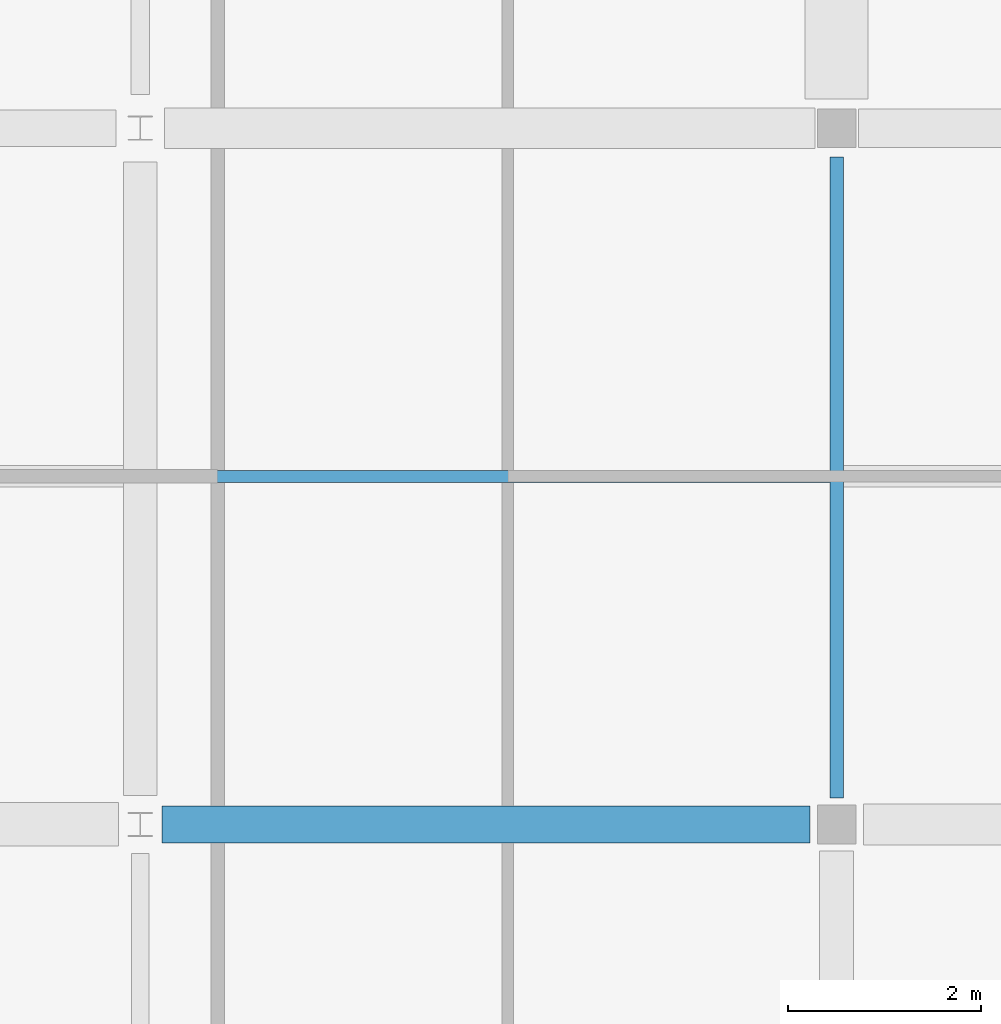
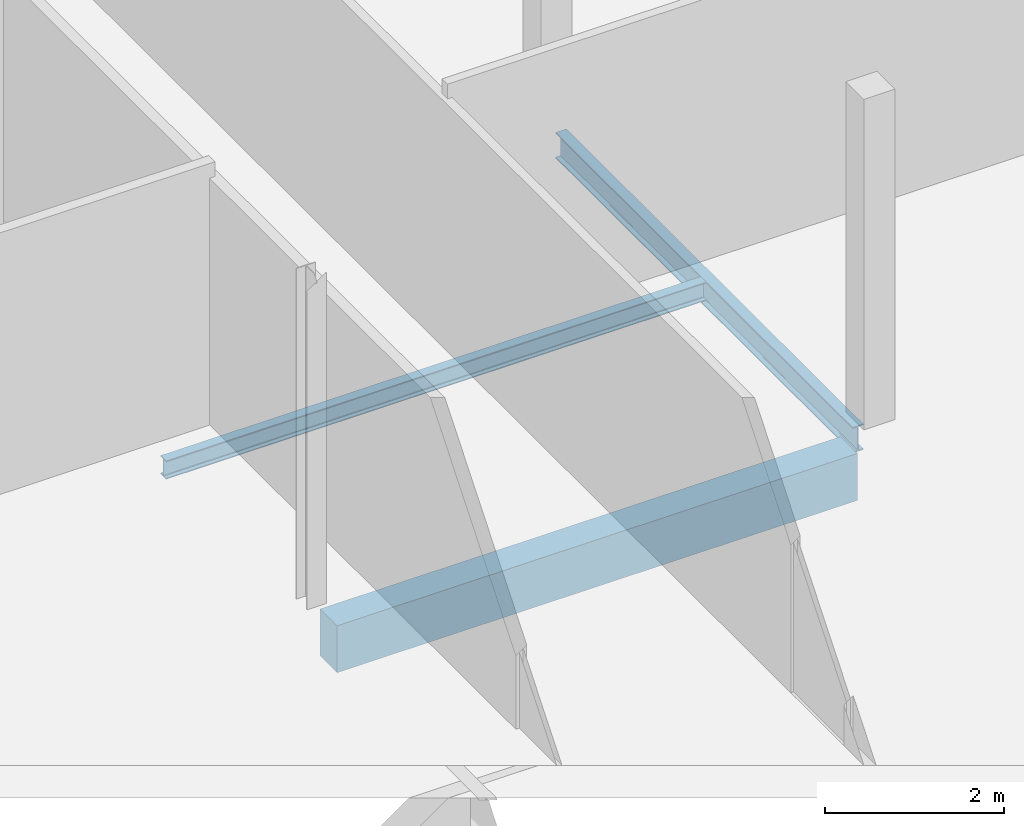
# One storey, part 19 of 62: 3 beams.
"""IFC4 building model written with IfcOpenShell, lengths in metres."""

from ifc_helpers import new_model, si_unit, direction, frame, origin, origin_2d, place, context, subcontext, project, spatial, rectangle, i_section, extrude, material, material_profile, profile_set, type_object, element, save


model = new_model("IFC4")

# Units and contexts
model_context = context("Model", 3, precision=1e-05, world=origin(), true_north=direction((0.0, 1.0)))
body_context = subcontext(model_context, "Body", "Model", "MODEL_VIEW")
ifc_project = project(units=[si_unit("LENGTHUNIT", "METRE"), si_unit("AREAUNIT", "SQUARE_METRE"), si_unit("VOLUMEUNIT", "CUBIC_METRE"), si_unit("PLANEANGLEUNIT", "RADIAN"), si_unit("MASSUNIT", "GRAM", prefix="KILO")], contexts=[model_context])

# Site, building, storey
site_placement = place(None, origin())
site = spatial("IfcSite", under=ifc_project, at=site_placement, CompositionType="ELEMENT")
building_placement = place(site_placement, origin())
building = spatial("IfcBuilding", under=site, at=building_placement, Name="Kalluvel Institute of Natural Sciences", CompositionType="ELEMENT")
storey_placement = place(building_placement, frame((0.0, 0.0, 27.89990234375)))
storey = spatial("IfcBuildingStorey", under=building, at=storey_placement, Name="L06", CompositionType="ELEMENT", Elevation=27.89990234375)

# Beams
ifc_material_1 = material(Name="Steel E350 Grade 350", Category="steel")
ifc_material_profile_1 = material_profile(ifc_material_1, i_section(OverallWidth=0.139892578125, OverallDepth=0.35009765625, WebThickness=0.008056640625, FlangeThickness=0.01416015625, FilletRadius=0.013916015625, at=origin_2d()), Name="ISMB 350")
ifc_profile_set_1 = profile_set([ifc_material_profile_1], Name="Steel E350 Grade 350")
beam_type_1 = type_object("IfcBeamType", Name="BM-ISMB350", PredefinedType="BEAM", material=ifc_profile_set_1)
beam_1_placement = place(storey_placement, frame((28.39990234375, 79.074951171875, -0.474853515625), z_axis=(0.0, 1.0, 0.0), x_axis=(-1.0, 0.0, 0.0)))
element("IfcBeam", 1, at=beam_1_placement, inside=storey, type_object=beam_type_1, Name="L06 girder GIR-L06-NS-X284-Y788", PredefinedType="BEAM", context=body_context, shape_type="SweptSolid", body=[
    extrude(i_section(OverallWidth=0.139892578125, OverallDepth=0.35009765625, WebThickness=0.008056640625, FlangeThickness=0.01416015625, FilletRadius=0.013916015625, at=origin_2d()), origin(), (0.0, 0.0, 1.0), 6.625),
])
ifc_material_2 = material(Name="Concrete M40", Category="concrete")
ifc_material_profile_2 = material_profile(ifc_material_2, rectangle(XDim=0.3798828125, YDim=0.639892578125, at=origin_2d()), Name="RCB 380x640")
ifc_profile_set_2 = profile_set([ifc_material_profile_2], Name="Concrete M40")
beam_type_2 = type_object("IfcBeamType", Name="BM-RC380x640", PredefinedType="BEAM", material=ifc_profile_set_2)
beam_2_placement = place(storey_placement, frame((21.425048828125, 78.800048828125, -0.619873046875), z_axis=(1.0, 0.0, 0.0), x_axis=(0.0, 1.0, 0.0)))
element("IfcBeam", 2, at=beam_2_placement, inside=storey, type_object=beam_type_2, Name="L06 girder GIR-L06-EW-X212-Y788", PredefinedType="BEAM", context=body_context, shape_type="SweptSolid", body=[
    extrude(rectangle(XDim=0.3798828125, YDim=0.639892578125, at=origin_2d()), origin(), (0.0, 0.0, 1.0), 6.699951171875),
])
ifc_material_profile_3 = material_profile(ifc_material_1, i_section(OverallWidth=0.125, OverallDepth=0.25, WebThickness=0.0068359375, FlangeThickness=0.012451171875, FilletRadius=0.012939453125, at=origin_2d()), Name="ISMB 250")
ifc_profile_set_3 = profile_set([ifc_material_profile_3], Name="Steel E350 Grade 350")
beam_type_3 = type_object("IfcBeamType", Name="WJ-ISMB250", PredefinedType="JOIST", material=ifc_profile_set_3)
beam_3_placement = place(storey_placement, frame((21.375, 82.39990234375, -0.4248046875), z_axis=(1.0, 0.0, 0.0), x_axis=(0.0, 1.0, 0.0)))
element("IfcBeam", 3, at=beam_3_placement, inside=storey, type_object=beam_type_3, Name="L06 floor rib RIB-L06-0774", PredefinedType="JOIST", context=body_context, shape_type="SweptSolid", body=[
    extrude(i_section(OverallWidth=0.125, OverallDepth=0.25, WebThickness=0.0068359375, FlangeThickness=0.012451171875, FilletRadius=0.012939453125, at=origin_2d()), origin(), (0.0, 0.0, 1.0), 6.955078125),
])

save(model, "model.ifc")
